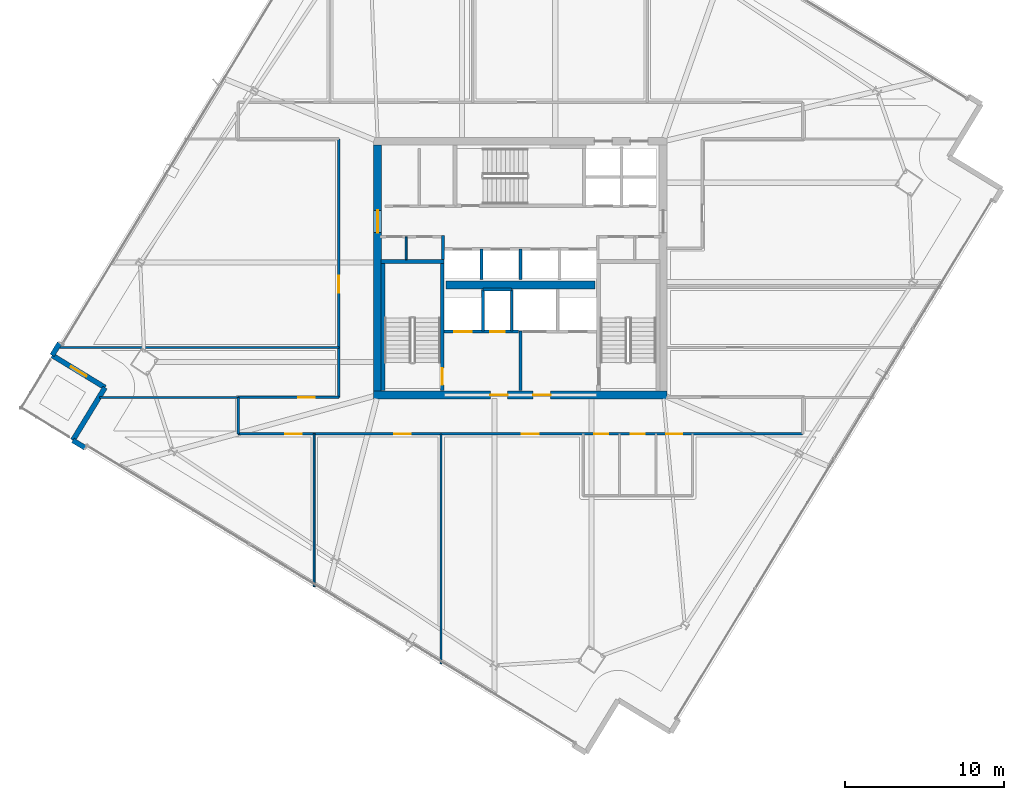
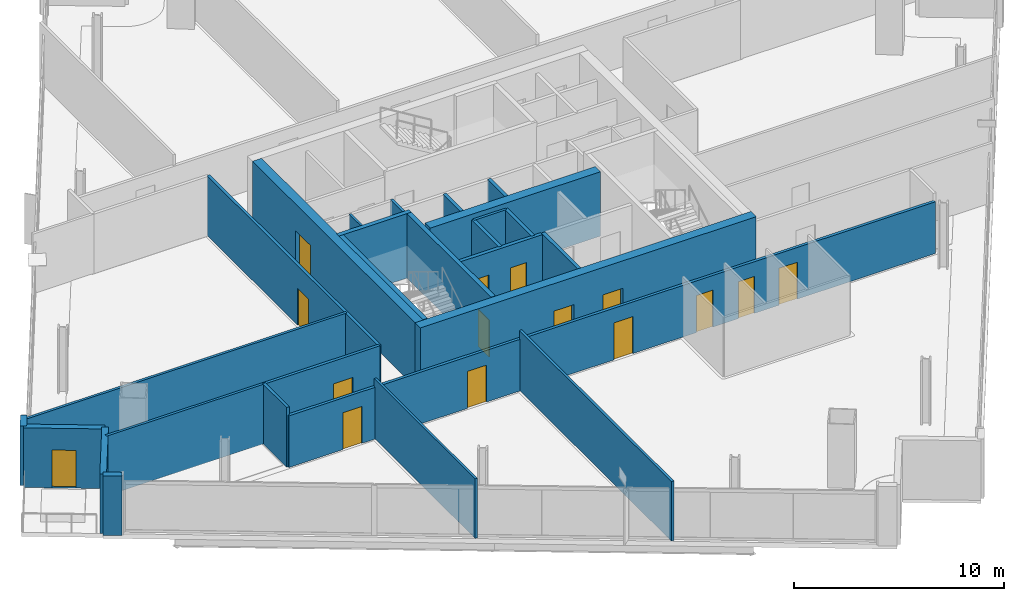
# One storey, part 21 of 28: 27 walls, 15 doors, 15 openings.
"""IFC4 building model written with IfcOpenShell, lengths in metres."""

from ifc_helpers import new_model, si_unit, direction, frame, frame_2d, origin, place, context, subcontext, project, spatial, rectangle, extrude, material, layer, layer_set, type_object, element, fill, save


model = new_model("IFC4")

# Units and contexts
model_context = context("Model", 3, precision=1e-05, world=origin(), true_north=direction((0.0, 1.0)))
body_context = subcontext(model_context, "Body", "Model", "MODEL_VIEW")
ifc_project = project(units=[si_unit("LENGTHUNIT", "METRE"), si_unit("AREAUNIT", "SQUARE_METRE"), si_unit("VOLUMEUNIT", "CUBIC_METRE"), si_unit("PLANEANGLEUNIT", "RADIAN"), si_unit("MASSUNIT", "GRAM", prefix="KILO")], contexts=[model_context])

# Site, building, storey
site_placement = place(None, origin())
site = spatial("IfcSite", under=ifc_project, at=site_placement, CompositionType="ELEMENT")
building_placement = place(site_placement, origin())
building = spatial("IfcBuilding", under=site, at=building_placement, Name="Haldenkirk Collegiate Tower", CompositionType="ELEMENT")
storey_placement = place(building_placement, frame((0.0, 0.0, 224.699951171875)))
storey = spatial("IfcBuildingStorey", under=building, at=storey_placement, Name="L56", CompositionType="ELEMENT", Elevation=224.699951171875)

# Wall, openings, doors
ifc_material_1 = material(Name="Concrete f'c 55 MPa", Category="concrete")
ifc_layer_1 = layer(ifc_material_1, 0.5)
ifc_layer_set_1 = layer_set([ifc_layer_1], Name="Concrete f'c 55 MPa")
wall_type_1 = type_object("IfcWallType", Name="WL-CORE-500", PredefinedType="SHEAR", material=ifc_layer_set_1)
wall_1_placement = place(storey_placement, frame((26.75, 18.0, 0.0), z_axis=(0.0, 0.0, 1.0), x_axis=(1.0, 0.0, 0.0)))
wall_1 = element("IfcWall", 1, at=wall_1_placement, inside=storey, type_object=wall_type_1, Name="L56 central core shear wall S", PredefinedType="SHEAR", context=body_context, shape_type="SweptSolid", body=[
    extrude(rectangle(XDim=18.5, YDim=0.5, at=frame_2d((9.25, 0.0))), origin(), (0.0, 0.0, 1.0), 3.75),
])
opening_1_placement = place(wall_1_placement, frame((7.35009765625, 0.0, 0.0)))
opening_1 = element("IfcOpeningElement", 2, at=opening_1_placement, cuts=wall_1, Name="Opening D-02", PredefinedType="OPENING", context=body_context, shape_type="SweptSolid", body=[
    extrude(rectangle(XDim=1.10009765625, YDim=2.14990234375, at=frame_2d((0.550048828125, 1.074951171875))), frame((0.0, 0.260009765625, 0.0), z_axis=(0.0, -1.0, 0.0), x_axis=(1.0, 0.0, 0.0)), (0.0, 0.0, 1.0), 0.52001953125),
])
opening_2_placement = place(wall_1_placement, frame((10.050048828125, 0.0, 0.0)))
opening_2 = element("IfcOpeningElement", 3, at=opening_2_placement, cuts=wall_1, Name="Opening D-02", PredefinedType="OPENING", context=body_context, shape_type="SweptSolid", body=[
    extrude(rectangle(XDim=1.10009765625, YDim=2.14990234375, at=frame_2d((0.550048828125, 1.074951171875))), frame((0.0, 0.260009765625, 0.0), z_axis=(0.0, -1.0, 0.0), x_axis=(1.0, 0.0, 0.0)), (0.0, 0.0, 1.0), 0.52001953125),
])
ifc_material_2 = material(Name="Galvanized fire-rated hollow steel door", Category="steel")
ifc_layer_2 = layer(ifc_material_2, 0.06005859375)
ifc_layer_set_2 = layer_set([ifc_layer_2], Name="Galvanized fire-rated hollow steel door")
door_type_1 = type_object("IfcDoorType", Name="DR-STAIR-FD90-1100", OperationType="NOTDEFINED", PredefinedType="DOOR", material=ifc_layer_set_2)
door_1_placement = place(opening_1_placement, origin())
door_1 = element("IfcDoor", 4, at=door_1_placement, inside=storey, type_object=door_type_1, Name="L56 Firefighting Lobby 1 door", OperationType="SINGLE_SWING_RIGHT", OverallHeight=2.14990234375, OverallWidth=1.10009765625, PredefinedType="DOOR", context=body_context, shape_type="SweptSolid", body=[
    extrude(rectangle(XDim=1.10009765625, YDim=2.14990234375, at=frame_2d((0.550048828125, 1.074951171875))), frame((0.0, 0.02490234375, 0.0), z_axis=(0.0, -1.0, 0.0), x_axis=(1.0, 0.0, 0.0)), (0.0, 0.0, 1.0), 0.050048828125),
])
fill(opening_1, door_1)
door_2_placement = place(opening_2_placement, origin())
door_2 = element("IfcDoor", 5, at=door_2_placement, inside=storey, type_object=door_type_1, Name="L56 Firefighting Lobby 2 door", OperationType="SINGLE_SWING_LEFT", OverallHeight=2.14990234375, OverallWidth=1.10009765625, PredefinedType="DOOR", context=body_context, shape_type="SweptSolid", body=[
    extrude(rectangle(XDim=1.10009765625, YDim=2.14990234375, at=frame_2d((0.550048828125, 1.074951171875))), frame((0.0, 0.02490234375, 0.0), z_axis=(0.0, -1.0, 0.0), x_axis=(1.0, 0.0, 0.0)), (0.0, 0.0, 1.0), 0.050048828125),
])
fill(opening_2, door_2)

# Wall, opening, door
wall_2_placement = place(storey_placement, frame((27.0, 18.25, 0.0), z_axis=(0.0, 0.0, 1.0), x_axis=(0.0, 1.0, 0.0)))
wall_2 = element("IfcWall", 6, at=wall_2_placement, inside=storey, type_object=wall_type_1, Name="L56 central core shear wall W", PredefinedType="SHEAR", context=body_context, shape_type="SweptSolid", body=[
    extrude(rectangle(XDim=15.5, YDim=0.5, at=frame_2d((7.75, 0.0))), origin(), (0.0, 0.0, 1.0), 3.75),
])
opening_3_placement = place(wall_2_placement, frame((9.989990234375, 0.0, 0.0)))
opening_3 = element("IfcOpeningElement", 7, at=opening_3_placement, cuts=wall_2, Name="Opening D-03", PredefinedType="OPENING", context=body_context, shape_type="SweptSolid", body=[
    extrude(rectangle(XDim=1.39990234375, YDim=2.199951171875, at=frame_2d((0.699951171875, 1.10009765625))), frame((0.0, 0.260009765625, 0.0), z_axis=(0.0, -1.0, 0.0), x_axis=(1.0, 0.0, 0.0)), (0.0, 0.0, 1.0), 0.52001953125),
])
ifc_layer_3 = layer(ifc_material_2, 0.06005859375)
ifc_layer_set_3 = layer_set([ifc_layer_3], Name="Galvanized fire-rated hollow steel door")
door_type_2 = type_object("IfcDoorType", Name="DR-LOBBY-FD90-1400", OperationType="NOTDEFINED", PredefinedType="DOOR", material=ifc_layer_set_3)
door_3_placement = place(opening_3_placement, origin())
door_3 = element("IfcDoor", 8, at=door_3_placement, inside=storey, type_object=door_type_2, Name="L56 west lift lobby portal", OperationType="DOUBLE_DOOR_SINGLE_SWING", OverallHeight=2.199951171875, OverallWidth=1.39990234375, PredefinedType="DOOR", context=body_context, shape_type="SweptSolid", body=[
    extrude(rectangle(XDim=1.39990234375, YDim=2.199951171875, at=frame_2d((0.699951171875, 1.10009765625))), frame((0.0, 0.02490234375, 0.0), z_axis=(0.0, -1.0, 0.0), x_axis=(1.0, 0.0, 0.0)), (0.0, 0.0, 1.0), 0.050048828125),
])
fill(opening_3, door_3)

# Walls
wall_3_placement = place(storey_placement, frame((31.31005859375, 24.949951171875, 0.0), z_axis=(0.0, 0.0, 1.0), x_axis=(1.0, 0.0, 0.0)))
element("IfcWall", 9, at=wall_3_placement, inside=storey, type_object=wall_type_1, Name="L56 central core spine shear wall", PredefinedType="SHEAR", context=body_context, shape_type="SweptSolid", body=[
    extrude(rectangle(XDim=9.3798828125, YDim=0.5, at=frame_2d((4.68994140625, 0.0))), origin(), (0.0, 0.0, 1.0), 3.75),
])
ifc_material_3 = material(Name="Precast concrete f'c 40 MPa", Category="concrete")
ifc_layer_4 = layer(ifc_material_3, 0.320068359375)
ifc_layer_set_4 = layer_set([ifc_layer_4], Name="Precast concrete f'c 40 MPa")
wall_type_2 = type_object("IfcWallType", Name="WL-EXT-TWR-320", PredefinedType="STANDARD", material=ifc_layer_set_4)
wall_4_placement = place(storey_placement, frame((6.481689453125, 20.505126953125, 0.0), z_axis=(0.0, 0.0, 1.0), x_axis=(0.520308352915, 0.853978464534, 0.0)))
element("IfcWall", 10, at=wall_4_placement, inside=storey, type_object=wall_type_2, Name="L56 precast corner pier NL", PredefinedType="STANDARD", context=body_context, shape_type="SweptSolid", body=[
    extrude(rectangle(XDim=0.89990234375, YDim=0.320068359375, at=frame_2d((0.449951171875, 0.0))), origin(), (0.0, 0.0, 1.0), 3.469970703125),
])

# Wall, opening, door
wall_5_placement = place(storey_placement, frame((9.812255859375, 18.47607421875, 0.0), z_axis=(0.0, 0.0, 1.0), x_axis=(-0.853999033914, 0.520274591032, 0.0)))
wall_5 = element("IfcWall", 11, at=wall_5_placement, inside=storey, type_object=wall_type_2, Name="L56 bronze precast notch wall 08", PredefinedType="STANDARD", context=body_context, shape_type="SweptSolid", body=[
    extrude(rectangle(XDim=3.89990234375, YDim=0.320068359375, at=frame_2d((1.949951171875, 0.0))), origin(), (0.0, 0.0, 1.0), 3.469970703125),
])
opening_4_placement = place(wall_5_placement, frame((1.375, 0.0, 0.0)))
opening_4 = element("IfcOpeningElement", 12, at=opening_4_placement, cuts=wall_5, Name="Opening D-ST11", PredefinedType="OPENING", context=body_context, shape_type="SweptSolid", body=[
    extrude(rectangle(XDim=1.14990234375, YDim=2.199951171875, at=frame_2d((0.574951171875, 1.10009765625))), frame((0.0, 0.169921875, 0.0), z_axis=(0.0, -1.0, 0.0), x_axis=(1.0, 0.0, 0.0)), (0.0, 0.0, 1.0), 0.340087890625),
])
ifc_material_4 = material(Name="Anodised architectural bronze aluminium", Category="aluminium")
ifc_layer_5 = layer(ifc_material_4, 0.080078125)
ifc_layer_set_5 = layer_set([ifc_layer_5], Name="Anodised architectural bronze aluminium")
door_type_3 = type_object("IfcDoorType", Name="DR-EXT-STER-1150", OperationType="NOTDEFINED", PredefinedType="DOOR", material=ifc_layer_set_5)
door_4_placement = place(opening_4_placement, origin())
door_4 = element("IfcDoor", 13, at=door_4_placement, inside=storey, type_object=door_type_3, Name="L56 spiralling terrace door", OperationType="SINGLE_SWING_LEFT", OverallHeight=2.199951171875, OverallWidth=1.14990234375, PredefinedType="DOOR", context=body_context, shape_type="SweptSolid", body=[
    extrude(rectangle(XDim=1.14990234375, YDim=2.199951171875, at=frame_2d((0.574951171875, 1.10009765625))), frame((0.0, 0.02490234375, 0.0), z_axis=(0.0, -1.0, 0.0), x_axis=(1.0, 0.0, 0.0)), (0.0, 0.0, 1.0), 0.050048828125),
])
fill(opening_4, door_4)

# Walls
wall_6_placement = place(storey_placement, frame((7.783203125, 15.1455078125, 0.0), z_axis=(0.0, 0.0, 1.0), x_axis=(0.520274591032, 0.853999033914, 0.0)))
element("IfcWall", 14, at=wall_6_placement, inside=storey, type_object=wall_type_2, Name="L56 bronze precast notch wall 09", PredefinedType="STANDARD", context=body_context, shape_type="SweptSolid", body=[
    extrude(rectangle(XDim=3.89990234375, YDim=0.320068359375, at=frame_2d((1.949951171875, 0.0))), origin(), (0.0, 0.0, 1.0), 3.469970703125),
])
wall_7_placement = place(storey_placement, frame((8.552001953125, 14.67724609375, 0.0), z_axis=(0.0, 0.0, 1.0), x_axis=(-0.85405187921, 0.520187838782, 0.0)))
element("IfcWall", 15, at=wall_7_placement, inside=storey, type_object=wall_type_2, Name="L56 precast corner pier WR", PredefinedType="STANDARD", context=body_context, shape_type="SweptSolid", body=[
    extrude(rectangle(XDim=0.900146484375, YDim=0.320068359375, at=frame_2d((0.4501953125, 0.0))), origin(), (0.0, 0.0, 1.0), 3.469970703125),
])
ifc_material_5 = material(Name="Acoustic fire-rated gypsum partition", Category="concrete")
ifc_layer_6 = layer(ifc_material_5, 0.159912109375)
ifc_layer_set_6 = layer_set([ifc_layer_6], Name="Acoustic fire-rated gypsum partition")
wall_type_3 = type_object("IfcWallType", Name="WL-INT-CORR-160", PredefinedType="PARTITIONING", material=ifc_layer_set_6)
wall_8_placement = place(storey_placement, frame((31.1201171875, 26.5400390625, 0.0), z_axis=(0.0, 0.0, 1.0), x_axis=(0.0, 1.0, 0.0)))
element("IfcWall", 16, at=wall_8_placement, inside=storey, type_object=wall_type_3, Name="L56 interior partition IW-L56-VCSW-E", PredefinedType="PARTITIONING", context=body_context, shape_type="SweptSolid", body=[
    extrude(rectangle(XDim=1.510009765625, YDim=0.159912109375, at=frame_2d((0.7548828125, 0.0))), origin(), (0.0, 0.0, 1.0), 3.469970703125),
])

# Wall, openings, doors
wall_9_placement = place(storey_placement, frame((18.199951171875, 15.550048828125, 0.0), z_axis=(0.0, 0.0, 1.0), x_axis=(1.0, 0.0, 0.0)))
wall_9 = element("IfcWall", 17, at=wall_9_placement, inside=storey, type_object=wall_type_3, Name="L56 interior partition IW-L56-CS", PredefinedType="PARTITIONING", context=body_context, shape_type="SweptSolid", body=[
    extrude(rectangle(XDim=35.60009765625, YDim=0.159912109375, at=frame_2d((17.800048828125, 0.0))), origin(), (0.0, 0.0, 1.0), 3.008056640625),
])
opening_5_placement = place(wall_9_placement, frame((22.449951171875, 0.0, 0.0)))
opening_5 = element("IfcOpeningElement", 18, at=opening_5_placement, cuts=wall_9, Name="Opening D-13", PredefinedType="OPENING", context=body_context, shape_type="SweptSolid", body=[
    extrude(rectangle(XDim=0.89990234375, YDim=2.14990234375, at=frame_2d((0.449951171875, 1.074951171875))), frame((0.0, 0.08984375, 0.0), z_axis=(0.0, -1.0, 0.0), x_axis=(1.0, 0.0, 0.0)), (0.0, 0.0, 1.0), 0.179931640625),
])
opening_6_placement = place(wall_9_placement, frame((24.75, 0.0, 0.0)))
opening_6 = element("IfcOpeningElement", 19, at=opening_6_placement, cuts=wall_9, Name="Opening D-13", PredefinedType="OPENING", context=body_context, shape_type="SweptSolid", body=[
    extrude(rectangle(XDim=0.89990234375, YDim=2.14990234375, at=frame_2d((0.449951171875, 1.074951171875))), frame((0.0, 0.08984375, 0.0), z_axis=(0.0, -1.0, 0.0), x_axis=(1.0, 0.0, 0.0)), (0.0, 0.0, 1.0), 0.179931640625),
])
opening_7_placement = place(wall_9_placement, frame((27.0, 0.0, 0.0)))
opening_7 = element("IfcOpeningElement", 20, at=opening_7_placement, cuts=wall_9, Name="Opening D-14", PredefinedType="OPENING", context=body_context, shape_type="SweptSolid", body=[
    extrude(rectangle(XDim=1.0, YDim=2.14990234375, at=frame_2d((0.5, 1.074951171875))), frame((0.0, 0.08984375, 0.0), z_axis=(0.0, -1.0, 0.0), x_axis=(1.0, 0.0, 0.0)), (0.0, 0.0, 1.0), 0.179931640625),
])
opening_8_placement = place(wall_9_placement, frame((2.965087890625, 0.0, 0.0)))
opening_8 = element("IfcOpeningElement", 21, at=opening_8_placement, cuts=wall_9, Name="Opening D-09", PredefinedType="OPENING", context=body_context, shape_type="SweptSolid", body=[
    extrude(rectangle(XDim=1.050048828125, YDim=2.14990234375, at=frame_2d((0.52490234375, 1.074951171875))), frame((0.0, 0.08984375, 0.0), z_axis=(0.0, -1.0, 0.0), x_axis=(1.0, 0.0, 0.0)), (0.0, 0.0, 1.0), 0.179931640625),
])
opening_9_placement = place(wall_9_placement, frame((9.8349609375, 0.0, 0.0)))
opening_9 = element("IfcOpeningElement", 22, at=opening_9_placement, cuts=wall_9, Name="Opening D-09", PredefinedType="OPENING", context=body_context, shape_type="SweptSolid", body=[
    extrude(rectangle(XDim=1.050048828125, YDim=2.14990234375, at=frame_2d((0.52490234375, 1.074951171875))), frame((0.0, 0.08984375, 0.0), z_axis=(0.0, -1.0, 0.0), x_axis=(1.0, 0.0, 0.0)), (0.0, 0.0, 1.0), 0.179931640625),
])
opening_10_placement = place(wall_9_placement, frame((17.89111328125, 0.0, 0.0)))
opening_10 = element("IfcOpeningElement", 23, at=opening_10_placement, cuts=wall_9, Name="Opening D-09", PredefinedType="OPENING", context=body_context, shape_type="SweptSolid", body=[
    extrude(rectangle(XDim=1.050048828125, YDim=2.14990234375, at=frame_2d((0.52490234375, 1.074951171875))), frame((0.0, 0.08984375, 0.0), z_axis=(0.0, -1.0, 0.0), x_axis=(1.0, 0.0, 0.0)), (0.0, 0.0, 1.0), 0.179931640625),
])
ifc_material_6 = material(Name="Solid-core architectural oak fire door", Category="wood")
ifc_layer_7 = layer(ifc_material_6, 0.06005859375)
ifc_layer_set_7 = layer_set([ifc_layer_7], Name="Solid-core architectural oak fire door")
door_type_4 = type_object("IfcDoorType", Name="DR-INT-ACC-1000", OperationType="NOTDEFINED", PredefinedType="DOOR", material=ifc_layer_set_7)
door_5_placement = place(opening_7_placement, origin())
door_5 = element("IfcDoor", 24, at=door_5_placement, inside=storey, type_object=door_type_4, Name="L56 Accessible WC door", OperationType="SINGLE_SWING_LEFT", OverallHeight=2.14990234375, OverallWidth=1.0, PredefinedType="DOOR", context=body_context, shape_type="SweptSolid", body=[
    extrude(rectangle(XDim=1.0, YDim=2.14990234375, at=frame_2d((0.5, 1.074951171875))), frame((0.0, 0.02490234375, 0.0), z_axis=(0.0, -1.0, 0.0), x_axis=(1.0, 0.0, 0.0)), (0.0, 0.0, 1.0), 0.050048828125),
])
fill(opening_7, door_5)
ifc_layer_8 = layer(ifc_material_6, 0.06005859375)
ifc_layer_set_8 = layer_set([ifc_layer_8], Name="Solid-core architectural oak fire door")
door_type_5 = type_object("IfcDoorType", Name="DR-INT-FD60-1050", OperationType="NOTDEFINED", PredefinedType="DOOR", material=ifc_layer_set_8)
door_6_placement = place(opening_8_placement, origin())
door_6 = element("IfcDoor", 25, at=door_6_placement, inside=storey, type_object=door_type_5, Name="L56 Collegiate Commons Lounge 1 door", OperationType="SINGLE_SWING_RIGHT", OverallHeight=2.14990234375, OverallWidth=1.050048828125, PredefinedType="DOOR", context=body_context, shape_type="SweptSolid", body=[
    extrude(rectangle(XDim=1.050048828125, YDim=2.14990234375, at=frame_2d((0.52490234375, 1.074951171875))), frame((0.0, 0.02490234375, 0.0), z_axis=(0.0, -1.0, 0.0), x_axis=(1.0, 0.0, 0.0)), (0.0, 0.0, 1.0), 0.050048828125),
])
fill(opening_8, door_6)
door_7_placement = place(opening_9_placement, origin())
door_7 = element("IfcDoor", 26, at=door_7_placement, inside=storey, type_object=door_type_5, Name="L56 Graduate Study Lounge 2 door", OperationType="SINGLE_SWING_LEFT", OverallHeight=2.14990234375, OverallWidth=1.050048828125, PredefinedType="DOOR", context=body_context, shape_type="SweptSolid", body=[
    extrude(rectangle(XDim=1.050048828125, YDim=2.14990234375, at=frame_2d((0.52490234375, 1.074951171875))), frame((0.0, 0.02490234375, 0.0), z_axis=(0.0, -1.0, 0.0), x_axis=(1.0, 0.0, 0.0)), (0.0, 0.0, 1.0), 0.050048828125),
])
fill(opening_9, door_7)
door_8_placement = place(opening_10_placement, origin())
door_8 = element("IfcDoor", 27, at=door_8_placement, inside=storey, type_object=door_type_5, Name="L56 Faculty Club Lounge 3 door", OperationType="SINGLE_SWING_RIGHT", OverallHeight=2.14990234375, OverallWidth=1.050048828125, PredefinedType="DOOR", context=body_context, shape_type="SweptSolid", body=[
    extrude(rectangle(XDim=1.050048828125, YDim=2.14990234375, at=frame_2d((0.52490234375, 1.074951171875))), frame((0.0, 0.02490234375, 0.0), z_axis=(0.0, -1.0, 0.0), x_axis=(1.0, 0.0, 0.0)), (0.0, 0.0, 1.0), 0.050048828125),
])
fill(opening_10, door_8)
ifc_layer_9 = layer(ifc_material_6, 0.06005859375)
ifc_layer_set_9 = layer_set([ifc_layer_9], Name="Solid-core architectural oak fire door")
door_type_6 = type_object("IfcDoorType", Name="DR-INT-STD-900", OperationType="NOTDEFINED", PredefinedType="DOOR", material=ifc_layer_set_9)
door_9_placement = place(opening_5_placement, origin())
door_9 = element("IfcDoor", 28, at=door_9_placement, inside=storey, type_object=door_type_6, Name="L56 Male WC door", OperationType="SINGLE_SWING_LEFT", OverallHeight=2.14990234375, OverallWidth=0.89990234375, PredefinedType="DOOR", context=body_context, shape_type="SweptSolid", body=[
    extrude(rectangle(XDim=0.89990234375, YDim=2.14990234375, at=frame_2d((0.449951171875, 1.074951171875))), frame((0.0, 0.02490234375, 0.0), z_axis=(0.0, -1.0, 0.0), x_axis=(1.0, 0.0, 0.0)), (0.0, 0.0, 1.0), 0.050048828125),
])
fill(opening_5, door_9)
door_10_placement = place(opening_6_placement, origin())
door_10 = element("IfcDoor", 29, at=door_10_placement, inside=storey, type_object=door_type_6, Name="L56 Female WC door", OperationType="SINGLE_SWING_RIGHT", OverallHeight=2.14990234375, OverallWidth=0.89990234375, PredefinedType="DOOR", context=body_context, shape_type="SweptSolid", body=[
    extrude(rectangle(XDim=0.89990234375, YDim=2.14990234375, at=frame_2d((0.449951171875, 1.074951171875))), frame((0.0, 0.02490234375, 0.0), z_axis=(0.0, -1.0, 0.0), x_axis=(1.0, 0.0, 0.0)), (0.0, 0.0, 1.0), 0.050048828125),
])
fill(opening_6, door_10)

# Wall, opening, door
wall_10_placement = place(storey_placement, frame((18.199951171875, 17.85009765625, 0.0), z_axis=(0.0, 0.0, 1.0), x_axis=(1.0, 0.0, 0.0)))
wall_10 = element("IfcWall", 30, at=wall_10_placement, inside=storey, type_object=wall_type_3, Name="L56 interior partition IW-L56-CSW", PredefinedType="PARTITIONING", context=body_context, shape_type="SweptSolid", body=[
    extrude(rectangle(XDim=6.35009765625, YDim=0.159912109375, at=frame_2d((3.175048828125, 0.0))), origin(), (0.0, 0.0, 1.0), 3.469970703125),
])
opening_11_placement = place(wall_10_placement, frame((3.79296875, 0.0, 0.0)))
opening_11 = element("IfcOpeningElement", 31, at=opening_11_placement, cuts=wall_10, Name="Opening D-09", PredefinedType="OPENING", context=body_context, shape_type="SweptSolid", body=[
    extrude(rectangle(XDim=1.050048828125, YDim=2.14990234375, at=frame_2d((0.52490234375, 1.074951171875))), frame((0.0, 0.08984375, 0.0), z_axis=(0.0, -1.0, 0.0), x_axis=(1.0, 0.0, 0.0)), (0.0, 0.0, 1.0), 0.179931640625),
])
door_11_placement = place(opening_11_placement, origin())
door_11 = element("IfcDoor", 32, at=door_11_placement, inside=storey, type_object=door_type_5, Name="L56 Graduate Study Lounge 8 door", OperationType="SINGLE_SWING_LEFT", OverallHeight=2.14990234375, OverallWidth=1.050048828125, PredefinedType="DOOR", context=body_context, shape_type="SweptSolid", body=[
    extrude(rectangle(XDim=1.050048828125, YDim=2.14990234375, at=frame_2d((0.52490234375, 1.074951171875))), frame((0.0, 0.02490234375, 0.0), z_axis=(0.0, -1.0, 0.0), x_axis=(1.0, 0.0, 0.0)), (0.0, 0.0, 1.0), 0.050048828125),
])
fill(opening_11, door_11)

wall_11_placement = place(storey_placement, frame((24.550048828125, 17.85009765625, 0.0), z_axis=(0.0, 0.0, 1.0), x_axis=(0.0, 1.0, 0.0)))
wall_11 = element("IfcWall", 33, at=wall_11_placement, inside=storey, type_object=wall_type_3, Name="L56 interior partition IW-L56-CW", PredefinedType="PARTITIONING", context=body_context, shape_type="SweptSolid", body=[
    extrude(rectangle(XDim=16.2998046875, YDim=0.159912109375, at=frame_2d((8.14990234375, 0.0))), origin(), (0.0, 0.0, 1.0), 3.469970703125),
])
opening_12_placement = place(wall_11_placement, frame((6.60693359375, 0.0, 0.0)))
opening_12 = element("IfcOpeningElement", 34, at=opening_12_placement, cuts=wall_11, Name="Opening D-09", PredefinedType="OPENING", context=body_context, shape_type="SweptSolid", body=[
    extrude(rectangle(XDim=1.050048828125, YDim=2.14990234375, at=frame_2d((0.52490234375, 1.074951171875))), frame((0.0, 0.08984375, 0.0), z_axis=(0.0, -1.0, 0.0), x_axis=(1.0, 0.0, 0.0)), (0.0, 0.0, 1.0), 0.179931640625),
])
door_12_placement = place(opening_12_placement, origin())
door_12 = element("IfcDoor", 35, at=door_12_placement, inside=storey, type_object=door_type_5, Name="L56 Faculty Club Lounge 9 door", OperationType="SINGLE_SWING_RIGHT", OverallHeight=2.14990234375, OverallWidth=1.050048828125, PredefinedType="DOOR", context=body_context, shape_type="SweptSolid", body=[
    extrude(rectangle(XDim=1.050048828125, YDim=2.14990234375, at=frame_2d((0.52490234375, 1.074951171875))), frame((0.0, 0.02490234375, 0.0), z_axis=(0.0, -1.0, 0.0), x_axis=(1.0, 0.0, 0.0)), (0.0, 0.0, 1.0), 0.050048828125),
])
fill(opening_12, door_12)

# Walls
wall_12_placement = place(storey_placement, frame((18.199951171875, 15.550048828125, 0.0), z_axis=(0.0, 0.0, 1.0), x_axis=(0.0, 1.0, 0.0)))
element("IfcWall", 36, at=wall_12_placement, inside=storey, type_object=wall_type_3, Name="L56 interior partition IW-L56-CSL", PredefinedType="PARTITIONING", context=body_context, shape_type="SweptSolid", body=[
    extrude(rectangle(XDim=2.300048828125, YDim=0.159912109375, at=frame_2d((1.14990234375, 0.0))), origin(), (0.0, 0.0, 1.0), 3.469970703125),
])
ifc_layer_10 = layer(ifc_material_5, 0.139892578125)
ifc_layer_set_10 = layer_set([ifc_layer_10], Name="Acoustic fire-rated gypsum partition")
wall_type_4 = type_object("IfcWallType", Name="WL-INT-DIV-140", PredefinedType="PARTITIONING", material=ifc_layer_set_10)
wall_13_placement = place(storey_placement, frame((9.477783203125, 17.85009765625, 0.0), z_axis=(0.0, 0.0, 1.0), x_axis=(1.0, 0.0, 0.0)))
element("IfcWall", 37, at=wall_13_placement, inside=storey, type_object=wall_type_4, Name="L56 interior partition IW-L56-BWS", PredefinedType="PARTITIONING", context=body_context, shape_type="SweptSolid", body=[
    extrude(rectangle(XDim=8.72216796875, YDim=0.139892578125, at=frame_2d((4.361083984375, 0.0))), origin(), (0.0, 0.0, 1.0), 3.469970703125),
])
wall_14_placement = place(storey_placement, frame((31.0, 1.048583984375, 0.0), z_axis=(0.0, 0.0, 1.0), x_axis=(0.0, 1.0, 0.0)))
element("IfcWall", 38, at=wall_14_placement, inside=storey, type_object=wall_type_4, Name="L56 interior partition IW-L56-RS2", PredefinedType="PARTITIONING", context=body_context, shape_type="SweptSolid", body=[
    extrude(rectangle(XDim=14.50146484375, YDim=0.139892578125, at=frame_2d((7.250732421875, 0.0))), origin(), (0.0, 0.0, 1.0), 3.469970703125),
])
wall_15_placement = place(storey_placement, frame((6.830078125, 21.0, 0.0), z_axis=(0.0, 0.0, 1.0), x_axis=(1.0, 0.0, 0.0)))
element("IfcWall", 39, at=wall_15_placement, inside=storey, type_object=wall_type_4, Name="L56 interior partition IW-L56-RW1", PredefinedType="PARTITIONING", context=body_context, shape_type="SweptSolid", body=[
    extrude(rectangle(XDim=17.719970703125, YDim=0.139892578125, at=frame_2d((8.85986328125, 0.0))), origin(), (0.0, 0.0, 1.0), 3.469970703125),
])
ifc_material_7 = material(Name="Fire-rated gypsum shaftboard assembly", Category="concrete")
ifc_layer_11 = layer(ifc_material_7, 0.179931640625)
ifc_layer_set_11 = layer_set([ifc_layer_11], Name="Fire-rated gypsum shaftboard assembly")
wall_type_5 = type_object("IfcWallType", Name="WL-INT-SHAFT-180", PredefinedType="PARTITIONING", material=ifc_layer_set_11)
for number, where, z_axis, x_axis, name in (
    (40, (33.64990234375, 22.050048828125, 0.0), (0.0, 0.0, 1.0), (0.0, 1.0, 0.0), "L56 interior partition IW-L56-FL1E"),
    (41, (35.449951171875, 22.050048828125, 0.0), (0.0, 0.0, 1.0), (0.0, 1.0, 0.0), "L56 interior partition IW-L56-GL1W"),
):
    element("IfcWall", number, at=place(storey_placement, frame(where, z_axis=z_axis, x_axis=x_axis)), inside=storey, type_object=wall_type_5, Name=name, PredefinedType="PARTITIONING", context=body_context, shape_type="SweptSolid", body=[
        extrude(rectangle(XDim=2.599853515625, YDim=0.179931640625, at=frame_2d((1.2998046875, 0.0))), origin(), (0.0, 0.0, 1.0), 3.469970703125),
    ])
wall_16_placement = place(storey_placement, frame((33.64990234375, 24.64990234375, 0.0), z_axis=(0.0, 0.0, 1.0), x_axis=(1.0, 0.0, 0.0)))
element("IfcWall", 42, at=wall_16_placement, inside=storey, type_object=wall_type_5, Name="L56 interior partition IW-L56-RSRN", PredefinedType="PARTITIONING", context=body_context, shape_type="SweptSolid", body=[
    extrude(rectangle(XDim=1.800048828125, YDim=0.179931640625, at=frame_2d((0.89990234375, 0.0))), origin(), (0.0, 0.0, 1.0), 3.469970703125),
])
for number, where, z_axis, x_axis, name in (
    (43, (33.5400390625, 25.300048828125, 0.0), (0.0, 0.0, 1.0), (0.0, 1.0, 0.0), "L56 interior partition IW-L56-PHV1"),
    (44, (36.0, 25.300048828125, 0.0), (0.0, 0.0, 1.0), (0.0, 1.0, 0.0), "L56 interior partition IW-L56-PHV2"),
):
    element("IfcWall", number, at=place(storey_placement, frame(where, z_axis=z_axis, x_axis=x_axis)), inside=storey, type_object=wall_type_5, Name=name, PredefinedType="PARTITIONING", context=body_context, shape_type="SweptSolid", body=[
        extrude(rectangle(XDim=1.89990234375, YDim=0.179931640625, at=frame_2d((0.949951171875, 0.0))), origin(), (0.0, 0.0, 1.0), 3.469970703125),
    ])
ifc_layer_12 = layer(ifc_material_7, 0.199951171875)
ifc_layer_set_12 = layer_set([ifc_layer_12], Name="Fire-rated gypsum shaftboard assembly")
wall_type_6 = type_object("IfcWallType", Name="WL-INT-SHAFT-200", PredefinedType="PARTITIONING", material=ifc_layer_set_12)
wall_17_placement = place(storey_placement, frame((36.0, 18.280029296875, 0.0), z_axis=(0.0, 0.0, 1.0), x_axis=(0.0, 1.0, 0.0)))
element("IfcWall", 45, at=wall_17_placement, inside=storey, type_object=wall_type_6, Name="L56 interior partition IW-L56-FFLM", PredefinedType="PARTITIONING", context=body_context, shape_type="SweptSolid", body=[
    extrude(rectangle(XDim=3.77001953125, YDim=0.199951171875, at=frame_2d((1.885009765625, 0.0))), origin(), (0.0, 0.0, 1.0), 3.469970703125),
])

# Wall, openings, doors
wall_18_placement = place(storey_placement, frame((31.18994140625, 22.0, 0.0), z_axis=(0.0, 0.0, 1.0), x_axis=(1.0, 0.0, 0.0)))
wall_18 = element("IfcWall", 46, at=wall_18_placement, inside=storey, type_object=wall_type_6, Name="L56 interior partition IW-L56-FFL1N", PredefinedType="PARTITIONING", context=body_context, shape_type="SweptSolid", body=[
    extrude(rectangle(XDim=4.68994140625, YDim=0.199951171875, at=frame_2d((2.344970703125, 0.0))), origin(), (0.0, 0.0, 1.0), 3.469970703125),
])
opening_13_placement = place(wall_18_placement, frame((2.909912109375, 0.0, 0.0)))
opening_13 = element("IfcOpeningElement", 47, at=opening_13_placement, cuts=wall_18, Name="Opening D-06", PredefinedType="OPENING", context=body_context, shape_type="SweptSolid", body=[
    extrude(rectangle(XDim=0.89990234375, YDim=2.14990234375, at=frame_2d((0.449951171875, 1.074951171875))), frame((0.0, 0.10986328125, 0.0), z_axis=(0.0, -1.0, 0.0), x_axis=(1.0, 0.0, 0.0)), (0.0, 0.0, 1.0), 0.219970703125),
])
opening_14_placement = place(wall_18_placement, frame((0.635009765625, 0.0, 0.0)))
opening_14 = element("IfcOpeningElement", 48, at=opening_14_placement, cuts=wall_18, Name="Opening LD-12", PredefinedType="OPENING", context=body_context, shape_type="SweptSolid", body=[
    extrude(rectangle(XDim=1.10009765625, YDim=2.14990234375, at=frame_2d((0.550048828125, 1.074951171875))), frame((0.0, 0.10986328125, 0.0), z_axis=(0.0, -1.0, 0.0), x_axis=(1.0, 0.0, 0.0)), (0.0, 0.0, 1.0), 0.219970703125),
])
ifc_layer_13 = layer(ifc_material_2, 0.06005859375)
ifc_layer_set_13 = layer_set([ifc_layer_13], Name="Galvanized fire-rated hollow steel door")
door_type_7 = type_object("IfcDoorType", Name="DR-INT-FD90-900", OperationType="NOTDEFINED", PredefinedType="DOOR", material=ifc_layer_set_13)
door_13_placement = place(opening_13_placement, origin())
door_13 = element("IfcDoor", 49, at=door_13_placement, inside=storey, type_object=door_type_7, Name="L56 electrical riser door", OperationType="SINGLE_SWING_RIGHT", OverallHeight=2.14990234375, OverallWidth=0.89990234375, PredefinedType="DOOR", context=body_context, shape_type="SweptSolid", body=[
    extrude(rectangle(XDim=0.89990234375, YDim=2.14990234375, at=frame_2d((0.449951171875, 1.074951171875))), frame((0.0, 0.02490234375, 0.0), z_axis=(0.0, -1.0, 0.0), x_axis=(1.0, 0.0, 0.0)), (0.0, 0.0, 1.0), 0.050048828125),
])
fill(opening_13, door_13)
ifc_material_8 = material(Name="Brushed architectural stainless steel", Category="steel")
ifc_layer_14 = layer(ifc_material_8, 0.06005859375)
ifc_layer_set_14 = layer_set([ifc_layer_14], Name="Brushed architectural stainless steel")
door_type_8 = type_object("IfcDoorType", Name="LD-FIRE-1100", OperationType="NOTDEFINED", PredefinedType="DOOR", material=ifc_layer_set_14)
door_14_placement = place(opening_14_placement, origin())
door_14 = element("IfcDoor", 50, at=door_14_placement, inside=storey, type_object=door_type_8, Name="L56 Elevator FL1 sliding landing door", OperationType="SLIDING_TO_LEFT", OverallHeight=2.14990234375, OverallWidth=1.10009765625, PredefinedType="DOOR", context=body_context, shape_type="SweptSolid", body=[
    extrude(rectangle(XDim=1.10009765625, YDim=2.14990234375, at=frame_2d((0.550048828125, 1.074951171875))), frame((0.0, 0.02490234375, 0.0), z_axis=(0.0, -1.0, 0.0), x_axis=(1.0, 0.0, 0.0)), (0.0, 0.0, 1.0), 0.050048828125),
])
fill(opening_14, door_14)

# Walls
ifc_layer_15 = layer(ifc_material_5, 0.1201171875)
ifc_layer_set_15 = layer_set([ifc_layer_15], Name="Acoustic fire-rated gypsum partition")
wall_type_7 = type_object("IfcWallType", Name="WL-INT-WET-120", PredefinedType="PARTITIONING", material=ifc_layer_set_15)
wall_19_placement = place(storey_placement, frame((28.800048828125, 26.5400390625, 0.0), z_axis=(0.0, 0.0, 1.0), x_axis=(0.0, 1.0, 0.0)))
element("IfcWall", 51, at=wall_19_placement, inside=storey, type_object=wall_type_7, Name="L56 interior partition IW-L56-VCSW-M", PredefinedType="PARTITIONING", context=body_context, shape_type="SweptSolid", body=[
    extrude(rectangle(XDim=1.43994140625, YDim=0.1201171875, at=frame_2d((0.719970703125, 0.0))), origin(), (0.0, 0.0, 1.0), 3.469970703125),
])
wall_20_placement = place(storey_placement, frame((23.0, 5.922119140625, 0.0), z_axis=(0.0, 0.0, 1.0), x_axis=(0.0, 1.0, 0.0)))
element("IfcWall", 52, at=wall_20_placement, inside=storey, type_object=wall_type_7, Name="L56 interior partition IW-L56-RS1", PredefinedType="PARTITIONING", context=body_context, shape_type="SweptSolid", body=[
    extrude(rectangle(XDim=9.6279296875, YDim=0.1201171875, at=frame_2d((4.81396484375, 0.0))), origin(), (0.0, 0.0, 1.0), 3.469970703125),
])

# Wall, opening, door
ifc_layer_16 = layer(ifc_material_1, 0.239990234375)
ifc_layer_set_16 = layer_set([ifc_layer_16], Name="Concrete f'c 55 MPa")
wall_type_8 = type_object("IfcWallType", Name="WL-SHAFT-240", PredefinedType="SHEAR", material=ifc_layer_set_16)
wall_21_placement = place(storey_placement, frame((31.070068359375, 18.280029296875, 0.0), z_axis=(0.0, 0.0, 1.0), x_axis=(0.0, 1.0, 0.0)))
wall_21 = element("IfcWall", 53, at=wall_21_placement, inside=storey, type_object=wall_type_8, Name="L56 stair shaft shear wall SW-L56-ST1E", PredefinedType="SHEAR", context=body_context, shape_type="SweptSolid", body=[
    extrude(rectangle(XDim=8.260009765625, YDim=0.239990234375, at=frame_2d((4.1298828125, 0.0))), origin(), (0.0, 0.0, 1.0), 3.75),
])
opening_15_placement = place(wall_21_placement, frame((0.364990234375, 0.0, 0.0)))
opening_15 = element("IfcOpeningElement", 54, at=opening_15_placement, cuts=wall_21, Name="Opening D-01", PredefinedType="OPENING", context=body_context, shape_type="SweptSolid", body=[
    extrude(rectangle(XDim=1.050048828125, YDim=2.14990234375, at=frame_2d((0.52490234375, 1.074951171875))), frame((0.0, 0.1298828125, 0.0), z_axis=(0.0, -1.0, 0.0), x_axis=(1.0, 0.0, 0.0)), (0.0, 0.0, 1.0), 0.260009765625),
])
ifc_layer_17 = layer(ifc_material_2, 0.06005859375)
ifc_layer_set_17 = layer_set([ifc_layer_17], Name="Galvanized fire-rated hollow steel door")
door_type_9 = type_object("IfcDoorType", Name="DR-STAIR-FD90-1050", OperationType="NOTDEFINED", PredefinedType="DOOR", material=ifc_layer_set_17)
door_15_placement = place(opening_15_placement, origin())
door_15 = element("IfcDoor", 55, at=door_15_placement, inside=storey, type_object=door_type_9, Name="L56 Stair 1 door", OperationType="SINGLE_SWING_LEFT", OverallHeight=2.14990234375, OverallWidth=1.050048828125, PredefinedType="DOOR", context=body_context, shape_type="SweptSolid", body=[
    extrude(rectangle(XDim=1.050048828125, YDim=2.14990234375, at=frame_2d((0.52490234375, 1.074951171875))), frame((0.0, 0.02490234375, 0.0), z_axis=(0.0, -1.0, 0.0), x_axis=(1.0, 0.0, 0.0)), (0.0, 0.0, 1.0), 0.050048828125),
])
fill(opening_15, door_15)

# Walls
wall_22_placement = place(storey_placement, frame((27.2099609375, 26.419921875, 0.0), z_axis=(0.0, 0.0, 1.0), x_axis=(1.0, 0.0, 0.0)))
element("IfcWall", 56, at=wall_22_placement, inside=storey, type_object=wall_type_8, Name="L56 stair shaft shear wall SW-L56-ST1N", PredefinedType="SHEAR", context=body_context, shape_type="SweptSolid", body=[
    extrude(rectangle(XDim=3.97998046875, YDim=0.239990234375, at=frame_2d((1.989990234375, 0.0))), origin(), (0.0, 0.0, 1.0), 3.75),
])
wall_23_placement = place(storey_placement, frame((27.330078125, 18.280029296875, 0.0), z_axis=(0.0, 0.0, 1.0), x_axis=(0.0, 1.0, 0.0)))
element("IfcWall", 57, at=wall_23_placement, inside=storey, type_object=wall_type_8, Name="L56 stair shaft shear wall SW-L56-ST1W", PredefinedType="SHEAR", context=body_context, shape_type="SweptSolid", body=[
    extrude(rectangle(XDim=8.260009765625, YDim=0.239990234375, at=frame_2d((4.1298828125, 0.0))), origin(), (0.0, 0.0, 1.0), 3.75),
])

save(model, "model.ifc")
